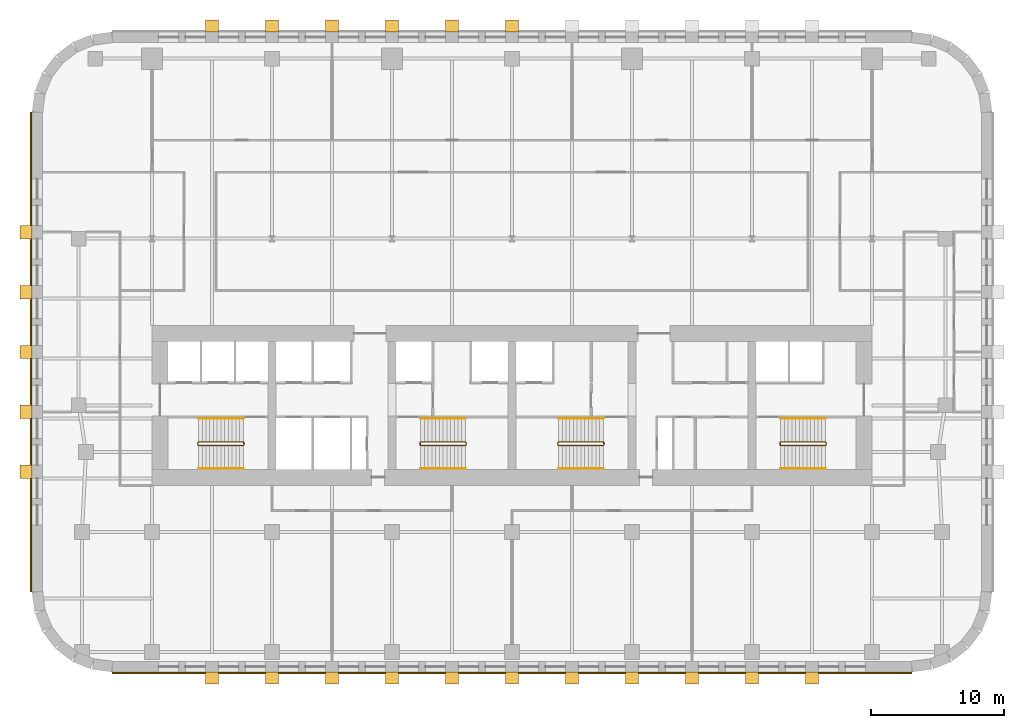
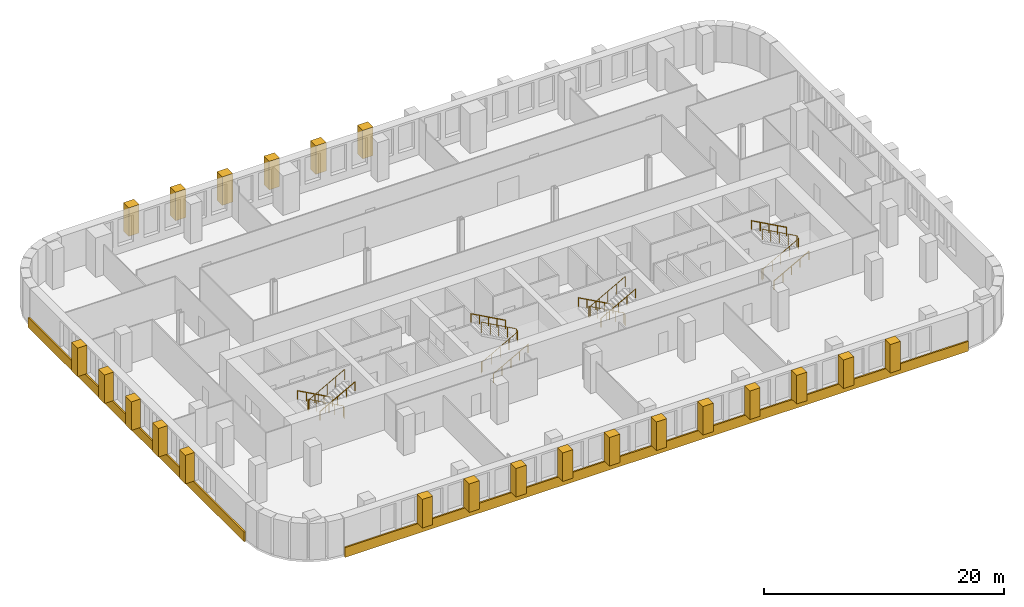
# One storey, part 11 of 12: 24 coverings, 12 railings.
"""IFC4 building model written with IfcOpenShell, lengths in metres."""

from ifc_helpers import new_model, si_unit, direction, frame, origin, origin_2d, place, context, subcontext, project, spatial, polyline, circle, outline, extrude, material, layer, layer_set, type_object, element, save


model = new_model("IFC4")

# Units and contexts
model_context = context("Model", 3, precision=1e-05, world=origin(), true_north=direction((0.0, 1.0)))
body_context = subcontext(model_context, "Body", "Model", "MODEL_VIEW")
ifc_project = project(units=[si_unit("LENGTHUNIT", "METRE"), si_unit("AREAUNIT", "SQUARE_METRE"), si_unit("VOLUMEUNIT", "CUBIC_METRE"), si_unit("PLANEANGLEUNIT", "RADIAN"), si_unit("MASSUNIT", "GRAM", prefix="KILO")], contexts=[model_context])

# Site, building, storey
site_placement = place(None, origin())
site = spatial("IfcSite", under=ifc_project, at=site_placement, CompositionType="ELEMENT")
building_placement = place(site_placement, origin())
building = spatial("IfcBuilding", under=site, at=building_placement, Name="Zellij Exchange Tower", CompositionType="ELEMENT")
storey_placement = place(building_placement, frame((0.0, 0.0, 96.5)))
storey = spatial("IfcBuildingStorey", under=building, at=storey_placement, Name="L20", CompositionType="ELEMENT", Elevation=96.5)

# Railings
ifc_material_1 = material(Name="Stainless steel", Category="steel")
railing_type_1 = type_object("IfcRailingType", Name="CORE-RG stair guard", PredefinedType="GUARDRAIL", material=ifc_material_1)
railing_1_placement = place(storey_placement, frame((-20.10009765625, -10.800048828125, 0.0)))
element("IfcRailing", 1, at=railing_1_placement, inside=storey, type_object=railing_type_1, Name="ST1 stair guard L20", PredefinedType="GUARDRAIL", context=body_context, shape_type="SweptSolid", body=[
    extrude(circle(Radius=0.02392578125, at=origin_2d()), frame((0.0, 0.0, 1.076171875), z_axis=(0.0, -1.0, 0.0), x_axis=(1.0, 0.0, 0.0)), (0.0, 0.0, 1.0), 0.14990234375),
    extrude(circle(Radius=0.02392578125, at=origin_2d()), frame((0.0, -0.14990234375, 1.076171875), z_axis=(-0.193691321961, 0.777613689637, 0.598164376644), x_axis=(-0.970351222016, -0.241699205484, 0.0)), (0.0, 0.0, 1.0), 0.257080078125),
    extrude(circle(Radius=0.02392578125, at=origin_2d()), frame((-0.0498046875, 0.050048828125, 1.22998046875), z_axis=(-0.876421534553, 0.0, 0.481544695509), x_axis=(0.0, -1.0, 0.0)), (0.0, 0.0, 1.0), 3.833984375),
    extrude(circle(Radius=0.02392578125, at=origin_2d()), frame((-3.409912109375, 0.050048828125, 3.076171875), z_axis=(-0.707106781187, -0.707106781187, 0.0), x_axis=(0.707106781187, -0.707106781187, 0.0)), (0.0, 0.0, 1.0), 0.07080078125),
    extrude(circle(Radius=0.02392578125, at=origin_2d()), frame((-3.4599609375, 0.0, 3.076171875), z_axis=(0.0, -1.0, 0.0), x_axis=(1.0, 0.0, 0.0)), (0.0, 0.0, 1.0), 0.14990234375),
    extrude(circle(Radius=0.02392578125, at=origin_2d()), frame((-3.4599609375, -0.14990234375, 3.076171875), z_axis=(0.295599637079, -0.295599637079, 0.908428152975), x_axis=(0.707106781187, 0.707106781187, 0.0)), (0.0, 0.0, 1.0), 0.16943359375),
    extrude(circle(Radius=0.02392578125, at=origin_2d()), frame((-3.409912109375, -0.199951171875, 3.22998046875), z_axis=(0.876421534553, 0.0, 0.481544695509), x_axis=(0.0, 1.0, 0.0)), (0.0, 0.0, 1.0), 3.833984375),
    extrude(circle(Radius=0.02099609375, at=origin_2d()), origin(), (0.0, 0.0, 1.0), 1.052001953125),
    extrude(circle(Radius=0.02099609375, at=origin_2d()), frame((0.0, -0.14990234375, 0.0)), (0.0, 0.0, 1.0), 1.052001953125),
    extrude(circle(Radius=0.02099609375, at=origin_2d()), frame((-0.0498046875, 0.050048828125, 0.15380859375)), (0.0, 0.0, 1.0), 1.052001953125),
    extrude(circle(Radius=0.02099609375, at=origin_2d()), frame((-0.889892578125, 0.050048828125, 0.615234375)), (0.0, 0.0, 1.0), 1.052001953125),
    extrude(circle(Radius=0.02099609375, at=origin_2d()), frame((-1.72998046875, 0.050048828125, 1.076904296875)), (0.0, 0.0, 1.0), 1.052001953125),
    extrude(circle(Radius=0.02099609375, at=origin_2d()), frame((-2.56982421875, 0.050048828125, 1.53857421875)), (0.0, 0.0, 1.0), 1.052001953125),
    extrude(circle(Radius=0.02099609375, at=origin_2d()), frame((-3.409912109375, 0.050048828125, 2.0)), (0.0, 0.0, 1.0), 1.052001953125),
    extrude(circle(Radius=0.02099609375, at=origin_2d()), frame((-3.4599609375, 0.0, 2.0)), (0.0, 0.0, 1.0), 1.052001953125),
    extrude(circle(Radius=0.02099609375, at=origin_2d()), frame((-3.4599609375, -0.14990234375, 2.0)), (0.0, 0.0, 1.0), 1.052001953125),
    extrude(circle(Radius=0.02099609375, at=origin_2d()), frame((-3.409912109375, -0.199951171875, 2.15380859375)), (0.0, 0.0, 1.0), 1.052001953125),
    extrude(circle(Radius=0.02099609375, at=origin_2d()), frame((-2.56982421875, -0.199951171875, 2.615234375)), (0.0, 0.0, 1.0), 1.052001953125),
    extrude(circle(Radius=0.02099609375, at=origin_2d()), frame((-1.72998046875, -0.199951171875, 3.076904296875)), (0.0, 0.0, 1.0), 1.052001953125),
    extrude(circle(Radius=0.02099609375, at=origin_2d()), frame((-0.889892578125, -0.199951171875, 3.53857421875)), (0.0, 0.0, 1.0), 1.052001953125),
    extrude(circle(Radius=0.02099609375, at=origin_2d()), frame((-0.0498046875, -0.199951171875, 4.0)), (0.0, 0.0, 1.0), 1.052001953125),
])
railing_2_placement = place(storey_placement, frame((-6.89990234375, -10.949951171875, 0.0)))
element("IfcRailing", 2, at=railing_2_placement, inside=storey, type_object=railing_type_1, Name="ST2 stair guard L20", PredefinedType="GUARDRAIL", context=body_context, shape_type="SweptSolid", body=[
    extrude(circle(Radius=0.02392578125, at=origin_2d()), frame((0.0, 0.0, 1.076171875), z_axis=(0.0, 1.0, 0.0), x_axis=(-1.0, 0.0, 0.0)), (0.0, 0.0, 1.0), 0.14990234375),
    extrude(circle(Radius=0.02392578125, at=origin_2d()), frame((0.0, 0.14990234375, 1.076171875), z_axis=(0.193691321961, -0.777613689637, 0.598164376644), x_axis=(0.970351222016, 0.241699205484, 0.0)), (0.0, 0.0, 1.0), 0.257080078125),
    extrude(circle(Radius=0.02392578125, at=origin_2d()), frame((0.0498046875, -0.050048828125, 1.22998046875), z_axis=(0.876421534553, 0.0, 0.481544695509), x_axis=(0.0, 1.0, 0.0)), (0.0, 0.0, 1.0), 3.833984375),
    extrude(circle(Radius=0.02392578125, at=origin_2d()), frame((3.409912109375, -0.050048828125, 3.076171875), z_axis=(0.707106781187, 0.707106781187, 0.0), x_axis=(-0.707106781187, 0.707106781187, 0.0)), (0.0, 0.0, 1.0), 0.07080078125),
    extrude(circle(Radius=0.02392578125, at=origin_2d()), frame((3.4599609375, 0.0, 3.076171875), z_axis=(0.0, 1.0, 0.0), x_axis=(-1.0, 0.0, 0.0)), (0.0, 0.0, 1.0), 0.14990234375),
    extrude(circle(Radius=0.02392578125, at=origin_2d()), frame((3.4599609375, 0.14990234375, 3.076171875), z_axis=(-0.295599637079, 0.295599637079, 0.908428152975), x_axis=(-0.707106781187, -0.707106781187, 0.0)), (0.0, 0.0, 1.0), 0.16943359375),
    extrude(circle(Radius=0.02392578125, at=origin_2d()), frame((3.409912109375, 0.199951171875, 3.22998046875), z_axis=(-0.876421534553, 0.0, 0.481544695509), x_axis=(0.0, -1.0, 0.0)), (0.0, 0.0, 1.0), 3.833984375),
    extrude(circle(Radius=0.02099609375, at=origin_2d()), origin(), (0.0, 0.0, 1.0), 1.052001953125),
    extrude(circle(Radius=0.02099609375, at=origin_2d()), frame((0.0, 0.14990234375, 0.0)), (0.0, 0.0, 1.0), 1.052001953125),
    extrude(circle(Radius=0.02099609375, at=origin_2d()), frame((0.0498046875, -0.050048828125, 0.15380859375)), (0.0, 0.0, 1.0), 1.052001953125),
    extrude(circle(Radius=0.02099609375, at=origin_2d()), frame((0.889892578125, -0.050048828125, 0.615234375)), (0.0, 0.0, 1.0), 1.052001953125),
    extrude(circle(Radius=0.02099609375, at=origin_2d()), frame((1.72998046875, -0.050048828125, 1.076904296875)), (0.0, 0.0, 1.0), 1.052001953125),
    extrude(circle(Radius=0.02099609375, at=origin_2d()), frame((2.56982421875, -0.050048828125, 1.53857421875)), (0.0, 0.0, 1.0), 1.052001953125),
    extrude(circle(Radius=0.02099609375, at=origin_2d()), frame((3.409912109375, -0.050048828125, 2.0)), (0.0, 0.0, 1.0), 1.052001953125),
    extrude(circle(Radius=0.02099609375, at=origin_2d()), frame((3.4599609375, 0.0, 2.0)), (0.0, 0.0, 1.0), 1.052001953125),
    extrude(circle(Radius=0.02099609375, at=origin_2d()), frame((3.4599609375, 0.14990234375, 2.0)), (0.0, 0.0, 1.0), 1.052001953125),
    extrude(circle(Radius=0.02099609375, at=origin_2d()), frame((3.409912109375, 0.199951171875, 2.15380859375)), (0.0, 0.0, 1.0), 1.052001953125),
    extrude(circle(Radius=0.02099609375, at=origin_2d()), frame((2.56982421875, 0.199951171875, 2.615234375)), (0.0, 0.0, 1.0), 1.052001953125),
    extrude(circle(Radius=0.02099609375, at=origin_2d()), frame((1.72998046875, 0.199951171875, 3.076904296875)), (0.0, 0.0, 1.0), 1.052001953125),
    extrude(circle(Radius=0.02099609375, at=origin_2d()), frame((0.889892578125, 0.199951171875, 3.53857421875)), (0.0, 0.0, 1.0), 1.052001953125),
    extrude(circle(Radius=0.02099609375, at=origin_2d()), frame((0.0498046875, 0.199951171875, 4.0)), (0.0, 0.0, 1.0), 1.052001953125),
])
railing_3_placement = place(storey_placement, frame((6.89990234375, -10.800048828125, 0.0)))
element("IfcRailing", 3, at=railing_3_placement, inside=storey, type_object=railing_type_1, Name="ST3 stair guard L20", PredefinedType="GUARDRAIL", context=body_context, shape_type="SweptSolid", body=[
    extrude(circle(Radius=0.02392578125, at=origin_2d()), frame((0.0, 0.0, 1.076171875), z_axis=(0.0, -1.0, 0.0), x_axis=(1.0, 0.0, 0.0)), (0.0, 0.0, 1.0), 0.14990234375),
    extrude(circle(Radius=0.02392578125, at=origin_2d()), frame((0.0, -0.14990234375, 1.076171875), z_axis=(-0.193691321961, 0.777613689637, 0.598164376644), x_axis=(-0.970351222016, -0.241699205484, 0.0)), (0.0, 0.0, 1.0), 0.257080078125),
    extrude(circle(Radius=0.02392578125, at=origin_2d()), frame((-0.0498046875, 0.050048828125, 1.22998046875), z_axis=(-0.876421534553, 0.0, 0.481544695509), x_axis=(0.0, -1.0, 0.0)), (0.0, 0.0, 1.0), 3.833984375),
    extrude(circle(Radius=0.02392578125, at=origin_2d()), frame((-3.409912109375, 0.050048828125, 3.076171875), z_axis=(-0.707106781187, -0.707106781187, 0.0), x_axis=(0.707106781187, -0.707106781187, 0.0)), (0.0, 0.0, 1.0), 0.07080078125),
    extrude(circle(Radius=0.02392578125, at=origin_2d()), frame((-3.4599609375, 0.0, 3.076171875), z_axis=(0.0, -1.0, 0.0), x_axis=(1.0, 0.0, 0.0)), (0.0, 0.0, 1.0), 0.14990234375),
    extrude(circle(Radius=0.02392578125, at=origin_2d()), frame((-3.4599609375, -0.14990234375, 3.076171875), z_axis=(0.295599637079, -0.295599637079, 0.908428152975), x_axis=(0.707106781187, 0.707106781187, 0.0)), (0.0, 0.0, 1.0), 0.16943359375),
    extrude(circle(Radius=0.02392578125, at=origin_2d()), frame((-3.409912109375, -0.199951171875, 3.22998046875), z_axis=(0.876421534553, 0.0, 0.481544695509), x_axis=(0.0, 1.0, 0.0)), (0.0, 0.0, 1.0), 3.833984375),
    extrude(circle(Radius=0.02099609375, at=origin_2d()), origin(), (0.0, 0.0, 1.0), 1.052001953125),
    extrude(circle(Radius=0.02099609375, at=origin_2d()), frame((0.0, -0.14990234375, 0.0)), (0.0, 0.0, 1.0), 1.052001953125),
    extrude(circle(Radius=0.02099609375, at=origin_2d()), frame((-0.0498046875, 0.050048828125, 0.15380859375)), (0.0, 0.0, 1.0), 1.052001953125),
    extrude(circle(Radius=0.02099609375, at=origin_2d()), frame((-0.889892578125, 0.050048828125, 0.615234375)), (0.0, 0.0, 1.0), 1.052001953125),
    extrude(circle(Radius=0.02099609375, at=origin_2d()), frame((-1.72998046875, 0.050048828125, 1.076904296875)), (0.0, 0.0, 1.0), 1.052001953125),
    extrude(circle(Radius=0.02099609375, at=origin_2d()), frame((-2.56982421875, 0.050048828125, 1.53857421875)), (0.0, 0.0, 1.0), 1.052001953125),
    extrude(circle(Radius=0.02099609375, at=origin_2d()), frame((-3.409912109375, 0.050048828125, 2.0)), (0.0, 0.0, 1.0), 1.052001953125),
    extrude(circle(Radius=0.02099609375, at=origin_2d()), frame((-3.4599609375, 0.0, 2.0)), (0.0, 0.0, 1.0), 1.052001953125),
    extrude(circle(Radius=0.02099609375, at=origin_2d()), frame((-3.4599609375, -0.14990234375, 2.0)), (0.0, 0.0, 1.0), 1.052001953125),
    extrude(circle(Radius=0.02099609375, at=origin_2d()), frame((-3.409912109375, -0.199951171875, 2.15380859375)), (0.0, 0.0, 1.0), 1.052001953125),
    extrude(circle(Radius=0.02099609375, at=origin_2d()), frame((-2.56982421875, -0.199951171875, 2.615234375)), (0.0, 0.0, 1.0), 1.052001953125),
    extrude(circle(Radius=0.02099609375, at=origin_2d()), frame((-1.72998046875, -0.199951171875, 3.076904296875)), (0.0, 0.0, 1.0), 1.052001953125),
    extrude(circle(Radius=0.02099609375, at=origin_2d()), frame((-0.889892578125, -0.199951171875, 3.53857421875)), (0.0, 0.0, 1.0), 1.052001953125),
    extrude(circle(Radius=0.02099609375, at=origin_2d()), frame((-0.0498046875, -0.199951171875, 4.0)), (0.0, 0.0, 1.0), 1.052001953125),
])
railing_4_placement = place(storey_placement, frame((20.10009765625, -10.949951171875, 0.0)))
element("IfcRailing", 4, at=railing_4_placement, inside=storey, type_object=railing_type_1, Name="ST4 stair guard L20", PredefinedType="GUARDRAIL", context=body_context, shape_type="SweptSolid", body=[
    extrude(circle(Radius=0.02392578125, at=origin_2d()), frame((0.0, 0.0, 1.076171875), z_axis=(0.0, 1.0, 0.0), x_axis=(-1.0, 0.0, 0.0)), (0.0, 0.0, 1.0), 0.14990234375),
    extrude(circle(Radius=0.02392578125, at=origin_2d()), frame((0.0, 0.14990234375, 1.076171875), z_axis=(0.193691321961, -0.777613689637, 0.598164376644), x_axis=(0.970351222016, 0.241699205484, 0.0)), (0.0, 0.0, 1.0), 0.257080078125),
    extrude(circle(Radius=0.02392578125, at=origin_2d()), frame((0.0498046875, -0.050048828125, 1.22998046875), z_axis=(0.876421534553, 0.0, 0.481544695509), x_axis=(0.0, 1.0, 0.0)), (0.0, 0.0, 1.0), 3.833984375),
    extrude(circle(Radius=0.02392578125, at=origin_2d()), frame((3.409912109375, -0.050048828125, 3.076171875), z_axis=(0.707106781187, 0.707106781187, 0.0), x_axis=(-0.707106781187, 0.707106781187, 0.0)), (0.0, 0.0, 1.0), 0.07080078125),
    extrude(circle(Radius=0.02392578125, at=origin_2d()), frame((3.4599609375, 0.0, 3.076171875), z_axis=(0.0, 1.0, 0.0), x_axis=(-1.0, 0.0, 0.0)), (0.0, 0.0, 1.0), 0.14990234375),
    extrude(circle(Radius=0.02392578125, at=origin_2d()), frame((3.4599609375, 0.14990234375, 3.076171875), z_axis=(-0.295599637079, 0.295599637079, 0.908428152975), x_axis=(-0.707106781187, -0.707106781187, 0.0)), (0.0, 0.0, 1.0), 0.16943359375),
    extrude(circle(Radius=0.02392578125, at=origin_2d()), frame((3.409912109375, 0.199951171875, 3.22998046875), z_axis=(-0.876421534553, 0.0, 0.481544695509), x_axis=(0.0, -1.0, 0.0)), (0.0, 0.0, 1.0), 3.833984375),
    extrude(circle(Radius=0.02099609375, at=origin_2d()), origin(), (0.0, 0.0, 1.0), 1.052001953125),
    extrude(circle(Radius=0.02099609375, at=origin_2d()), frame((0.0, 0.14990234375, 0.0)), (0.0, 0.0, 1.0), 1.052001953125),
    extrude(circle(Radius=0.02099609375, at=origin_2d()), frame((0.0498046875, -0.050048828125, 0.15380859375)), (0.0, 0.0, 1.0), 1.052001953125),
    extrude(circle(Radius=0.02099609375, at=origin_2d()), frame((0.889892578125, -0.050048828125, 0.615234375)), (0.0, 0.0, 1.0), 1.052001953125),
    extrude(circle(Radius=0.02099609375, at=origin_2d()), frame((1.72998046875, -0.050048828125, 1.076904296875)), (0.0, 0.0, 1.0), 1.052001953125),
    extrude(circle(Radius=0.02099609375, at=origin_2d()), frame((2.56982421875, -0.050048828125, 1.53857421875)), (0.0, 0.0, 1.0), 1.052001953125),
    extrude(circle(Radius=0.02099609375, at=origin_2d()), frame((3.409912109375, -0.050048828125, 2.0)), (0.0, 0.0, 1.0), 1.052001953125),
    extrude(circle(Radius=0.02099609375, at=origin_2d()), frame((3.4599609375, 0.0, 2.0)), (0.0, 0.0, 1.0), 1.052001953125),
    extrude(circle(Radius=0.02099609375, at=origin_2d()), frame((3.4599609375, 0.14990234375, 2.0)), (0.0, 0.0, 1.0), 1.052001953125),
    extrude(circle(Radius=0.02099609375, at=origin_2d()), frame((3.409912109375, 0.199951171875, 2.15380859375)), (0.0, 0.0, 1.0), 1.052001953125),
    extrude(circle(Radius=0.02099609375, at=origin_2d()), frame((2.56982421875, 0.199951171875, 2.615234375)), (0.0, 0.0, 1.0), 1.052001953125),
    extrude(circle(Radius=0.02099609375, at=origin_2d()), frame((1.72998046875, 0.199951171875, 3.076904296875)), (0.0, 0.0, 1.0), 1.052001953125),
    extrude(circle(Radius=0.02099609375, at=origin_2d()), frame((0.889892578125, 0.199951171875, 3.53857421875)), (0.0, 0.0, 1.0), 1.052001953125),
    extrude(circle(Radius=0.02099609375, at=origin_2d()), frame((0.0498046875, 0.199951171875, 4.0)), (0.0, 0.0, 1.0), 1.052001953125),
])
railing_type_2 = type_object("IfcRailingType", Name="CORE-RH stair handrail", PredefinedType="HANDRAIL", material=ifc_material_1)
railing_5_placement = place(storey_placement, frame((-20.14990234375, -9.0, 0.15380859375)))
element("IfcRailing", 5, at=railing_5_placement, inside=storey, type_object=railing_type_2, Name="ST1 stair handrail L20", PredefinedType="HANDRAIL", context=body_context, shape_type="SweptSolid", body=[
    extrude(circle(Radius=0.02392578125, at=origin_2d()), frame((0.0, 0.0, 0.8759765625), z_axis=(-0.876421534553, 0.0, 0.481544695509), x_axis=(0.0, -1.0, 0.0)), (0.0, 0.0, 1.0), 3.833984375),
    extrude(circle(Radius=0.02099609375, at=origin_2d()), origin(), (0.0, 0.0, 1.0), 0.851806640625),
    extrude(circle(Radius=0.02099609375, at=origin_2d()), frame((-0.840087890625, 0.0, 0.46142578125)), (0.0, 0.0, 1.0), 0.851806640625),
    extrude(circle(Radius=0.02099609375, at=origin_2d()), frame((-1.68017578125, 0.0, 0.923095703125)), (0.0, 0.0, 1.0), 0.851806640625),
    extrude(circle(Radius=0.02099609375, at=origin_2d()), frame((-2.52001953125, 0.0, 1.384765625)), (0.0, 0.0, 1.0), 0.851806640625),
    extrude(circle(Radius=0.02099609375, at=origin_2d()), frame((-3.360107421875, 0.0, 1.84619140625)), (0.0, 0.0, 1.0), 0.851806640625),
])
for number, where, name in (
    (6, (-23.510009765625, -12.75, 2.15380859375), "ST1 stair handrail L20"),
    (7, (-6.85009765625, -12.75, 0.15380859375), "ST2 stair handrail L20"),
):
    element("IfcRailing", number, at=place(storey_placement, frame(where)), inside=storey, type_object=railing_type_2, Name=name, PredefinedType="HANDRAIL", context=body_context, shape_type="SweptSolid", body=[
        extrude(circle(Radius=0.02392578125, at=origin_2d()), frame((0.0, 0.0, 0.8759765625), z_axis=(0.876421534553, 0.0, 0.481544695509), x_axis=(0.0, 1.0, 0.0)), (0.0, 0.0, 1.0), 3.833984375),
        extrude(circle(Radius=0.02099609375, at=origin_2d()), origin(), (0.0, 0.0, 1.0), 0.851806640625),
        extrude(circle(Radius=0.02099609375, at=origin_2d()), frame((0.840087890625, 0.0, 0.46142578125)), (0.0, 0.0, 1.0), 0.851806640625),
        extrude(circle(Radius=0.02099609375, at=origin_2d()), frame((1.68017578125, 0.0, 0.923095703125)), (0.0, 0.0, 1.0), 0.851806640625),
        extrude(circle(Radius=0.02099609375, at=origin_2d()), frame((2.52001953125, 0.0, 1.384765625)), (0.0, 0.0, 1.0), 0.851806640625),
        extrude(circle(Radius=0.02099609375, at=origin_2d()), frame((3.360107421875, 0.0, 1.84619140625)), (0.0, 0.0, 1.0), 0.851806640625),
    ])
for number, where, name in (
    (8, (-3.489990234375, -9.0, 2.15380859375), "ST2 stair handrail L20"),
    (9, (6.85009765625, -9.0, 0.15380859375), "ST3 stair handrail L20"),
):
    element("IfcRailing", number, at=place(storey_placement, frame(where)), inside=storey, type_object=railing_type_2, Name=name, PredefinedType="HANDRAIL", context=body_context, shape_type="SweptSolid", body=[
        extrude(circle(Radius=0.02392578125, at=origin_2d()), frame((0.0, 0.0, 0.8759765625), z_axis=(-0.876421534553, 0.0, 0.481544695509), x_axis=(0.0, -1.0, 0.0)), (0.0, 0.0, 1.0), 3.833984375),
        extrude(circle(Radius=0.02099609375, at=origin_2d()), origin(), (0.0, 0.0, 1.0), 0.851806640625),
        extrude(circle(Radius=0.02099609375, at=origin_2d()), frame((-0.840087890625, 0.0, 0.46142578125)), (0.0, 0.0, 1.0), 0.851806640625),
        extrude(circle(Radius=0.02099609375, at=origin_2d()), frame((-1.68017578125, 0.0, 0.923095703125)), (0.0, 0.0, 1.0), 0.851806640625),
        extrude(circle(Radius=0.02099609375, at=origin_2d()), frame((-2.52001953125, 0.0, 1.384765625)), (0.0, 0.0, 1.0), 0.851806640625),
        extrude(circle(Radius=0.02099609375, at=origin_2d()), frame((-3.360107421875, 0.0, 1.84619140625)), (0.0, 0.0, 1.0), 0.851806640625),
    ])
for number, where, name in (
    (10, (3.489990234375, -12.75, 2.15380859375), "ST3 stair handrail L20"),
    (11, (20.14990234375, -12.75, 0.15380859375), "ST4 stair handrail L20"),
):
    element("IfcRailing", number, at=place(storey_placement, frame(where)), inside=storey, type_object=railing_type_2, Name=name, PredefinedType="HANDRAIL", context=body_context, shape_type="SweptSolid", body=[
        extrude(circle(Radius=0.02392578125, at=origin_2d()), frame((0.0, 0.0, 0.8759765625), z_axis=(0.876421534553, 0.0, 0.481544695509), x_axis=(0.0, 1.0, 0.0)), (0.0, 0.0, 1.0), 3.833984375),
        extrude(circle(Radius=0.02099609375, at=origin_2d()), origin(), (0.0, 0.0, 1.0), 0.851806640625),
        extrude(circle(Radius=0.02099609375, at=origin_2d()), frame((0.840087890625, 0.0, 0.46142578125)), (0.0, 0.0, 1.0), 0.851806640625),
        extrude(circle(Radius=0.02099609375, at=origin_2d()), frame((1.68017578125, 0.0, 0.923095703125)), (0.0, 0.0, 1.0), 0.851806640625),
        extrude(circle(Radius=0.02099609375, at=origin_2d()), frame((2.52001953125, 0.0, 1.384765625)), (0.0, 0.0, 1.0), 0.851806640625),
        extrude(circle(Radius=0.02099609375, at=origin_2d()), frame((3.360107421875, 0.0, 1.84619140625)), (0.0, 0.0, 1.0), 0.851806640625),
    ])
railing_6_placement = place(storey_placement, frame((23.510009765625, -9.0, 2.15380859375)))
element("IfcRailing", 12, at=railing_6_placement, inside=storey, type_object=railing_type_2, Name="ST4 stair handrail L20", PredefinedType="HANDRAIL", context=body_context, shape_type="SweptSolid", body=[
    extrude(circle(Radius=0.02392578125, at=origin_2d()), frame((0.0, 0.0, 0.8759765625), z_axis=(-0.876421534553, 0.0, 0.481544695509), x_axis=(0.0, -1.0, 0.0)), (0.0, 0.0, 1.0), 3.833984375),
    extrude(circle(Radius=0.02099609375, at=origin_2d()), origin(), (0.0, 0.0, 1.0), 0.851806640625),
    extrude(circle(Radius=0.02099609375, at=origin_2d()), frame((-0.840087890625, 0.0, 0.46142578125)), (0.0, 0.0, 1.0), 0.851806640625),
    extrude(circle(Radius=0.02099609375, at=origin_2d()), frame((-1.68017578125, 0.0, 0.923095703125)), (0.0, 0.0, 1.0), 0.851806640625),
    extrude(circle(Radius=0.02099609375, at=origin_2d()), frame((-2.52001953125, 0.0, 1.384765625)), (0.0, 0.0, 1.0), 0.851806640625),
    extrude(circle(Radius=0.02099609375, at=origin_2d()), frame((-3.360107421875, 0.0, 1.84619140625)), (0.0, 0.0, 1.0), 0.851806640625),
])

# Coverings
ifc_material_2 = material(Name="Limestone cladding", Category="masonry")
ifc_layer = layer(ifc_material_2, 0.14990234375)
ifc_layer_set = layer_set([ifc_layer], Name="Limestone cladding")
covering_type_1 = type_object("IfcCoveringType", Name="ENV-CV1 Stone spandrel band 150", PredefinedType="CLADDING", material=ifc_layer_set)
covering_1_placement = place(storey_placement, frame((0.0, 0.0, -0.199951171875)))
element("IfcCovering", 13, at=covering_1_placement, inside=storey, type_object=covering_type_1, Name="Stone spandrel band", PredefinedType="CLADDING", context=body_context, shape_type="SweptSolid", body=[
    extrude(outline(polyline([(-29.973876953125, -28.0), (29.973876953125, -28.0), (29.983642578125, -28.14990234375), (-29.983642578125, -28.14990234375), (-29.973876953125, -28.0)])), origin(), (0.0, 0.0, 1.0), 1.0),
])
covering_2_placement = place(storey_placement, frame((0.0, 0.0, -0.199951171875)))
element("IfcCovering", 14, at=covering_2_placement, inside=storey, type_object=covering_type_1, Name="Stone spandrel band", PredefinedType="CLADDING", context=body_context, shape_type="SweptSolid", body=[
    extrude(outline(polyline([(-36.0, 13.973876953125), (-36.0, -21.973876953125), (-36.14990234375, -21.983642578125), (-36.14990234375, 13.983642578125), (-36.0, 13.973876953125)])), origin(), (0.0, 0.0, 1.0), 1.0),
])
covering_type_2 = type_object("IfcCoveringType", Name="ENV-CV2 Stone pier 1000x900", PredefinedType="CLADDING", material=ifc_material_2)
covering_3_placement = place(storey_placement, frame((0.0, 0.0, 0.800048828125)))
element("IfcCovering", 15, at=covering_3_placement, inside=storey, type_object=covering_type_2, Name="Stone pier", PredefinedType="CLADDING", context=body_context, shape_type="SweptSolid", body=[
    extrude(outline(polyline([(-23.0, -28.0), (-22.0, -28.0), (-22.0, -28.89990234375), (-23.0, -28.89990234375), (-23.0, -28.0)])), origin(), (0.0, 0.0, 1.0), 2.89990234375),
])
covering_4_placement = place(storey_placement, frame((0.0, 0.0, 0.800048828125)))
element("IfcCovering", 16, at=covering_4_placement, inside=storey, type_object=covering_type_2, Name="Stone pier", PredefinedType="CLADDING", context=body_context, shape_type="SweptSolid", body=[
    extrude(outline(polyline([(-18.5, -28.0), (-17.5, -28.0), (-17.5, -28.89990234375), (-18.5, -28.89990234375), (-18.5, -28.0)])), origin(), (0.0, 0.0, 1.0), 2.89990234375),
])
covering_5_placement = place(storey_placement, frame((0.0, 0.0, 0.800048828125)))
element("IfcCovering", 17, at=covering_5_placement, inside=storey, type_object=covering_type_2, Name="Stone pier", PredefinedType="CLADDING", context=body_context, shape_type="SweptSolid", body=[
    extrude(outline(polyline([(-14.0, -28.0), (-13.0, -28.0), (-13.0, -28.89990234375), (-14.0, -28.89990234375), (-14.0, -28.0)])), origin(), (0.0, 0.0, 1.0), 2.89990234375),
])
covering_6_placement = place(storey_placement, frame((0.0, 0.0, 0.800048828125)))
element("IfcCovering", 18, at=covering_6_placement, inside=storey, type_object=covering_type_2, Name="Stone pier", PredefinedType="CLADDING", context=body_context, shape_type="SweptSolid", body=[
    extrude(outline(polyline([(-9.5, -28.0), (-8.5, -28.0), (-8.5, -28.89990234375), (-9.5, -28.89990234375), (-9.5, -28.0)])), origin(), (0.0, 0.0, 1.0), 2.89990234375),
])
covering_7_placement = place(storey_placement, frame((0.0, 0.0, 0.800048828125)))
element("IfcCovering", 19, at=covering_7_placement, inside=storey, type_object=covering_type_2, Name="Stone pier", PredefinedType="CLADDING", context=body_context, shape_type="SweptSolid", body=[
    extrude(outline(polyline([(-5.0, -28.0), (-4.0, -28.0), (-4.0, -28.89990234375), (-5.0, -28.89990234375), (-5.0, -28.0)])), origin(), (0.0, 0.0, 1.0), 2.89990234375),
])
covering_8_placement = place(storey_placement, frame((0.0, 0.0, 0.800048828125)))
element("IfcCovering", 20, at=covering_8_placement, inside=storey, type_object=covering_type_2, Name="Stone pier", PredefinedType="CLADDING", context=body_context, shape_type="SweptSolid", body=[
    extrude(outline(polyline([(-0.5, -28.0), (0.5, -28.0), (0.5, -28.89990234375), (-0.5, -28.89990234375), (-0.5, -28.0)])), origin(), (0.0, 0.0, 1.0), 2.89990234375),
])
covering_9_placement = place(storey_placement, frame((0.0, 0.0, 0.800048828125)))
element("IfcCovering", 21, at=covering_9_placement, inside=storey, type_object=covering_type_2, Name="Stone pier", PredefinedType="CLADDING", context=body_context, shape_type="SweptSolid", body=[
    extrude(outline(polyline([(4.0, -28.0), (5.0, -28.0), (5.0, -28.89990234375), (4.0, -28.89990234375), (4.0, -28.0)])), origin(), (0.0, 0.0, 1.0), 2.89990234375),
])
covering_10_placement = place(storey_placement, frame((0.0, 0.0, 0.800048828125)))
element("IfcCovering", 22, at=covering_10_placement, inside=storey, type_object=covering_type_2, Name="Stone pier", PredefinedType="CLADDING", context=body_context, shape_type="SweptSolid", body=[
    extrude(outline(polyline([(8.5, -28.0), (9.5, -28.0), (9.5, -28.89990234375), (8.5, -28.89990234375), (8.5, -28.0)])), origin(), (0.0, 0.0, 1.0), 2.89990234375),
])
covering_11_placement = place(storey_placement, frame((0.0, 0.0, 0.800048828125)))
element("IfcCovering", 23, at=covering_11_placement, inside=storey, type_object=covering_type_2, Name="Stone pier", PredefinedType="CLADDING", context=body_context, shape_type="SweptSolid", body=[
    extrude(outline(polyline([(13.0, -28.0), (14.0, -28.0), (14.0, -28.89990234375), (13.0, -28.89990234375), (13.0, -28.0)])), origin(), (0.0, 0.0, 1.0), 2.89990234375),
])
covering_12_placement = place(storey_placement, frame((0.0, 0.0, 0.800048828125)))
element("IfcCovering", 24, at=covering_12_placement, inside=storey, type_object=covering_type_2, Name="Stone pier", PredefinedType="CLADDING", context=body_context, shape_type="SweptSolid", body=[
    extrude(outline(polyline([(17.5, -28.0), (18.5, -28.0), (18.5, -28.89990234375), (17.5, -28.89990234375), (17.5, -28.0)])), origin(), (0.0, 0.0, 1.0), 2.89990234375),
])
covering_13_placement = place(storey_placement, frame((0.0, 0.0, 0.800048828125)))
element("IfcCovering", 25, at=covering_13_placement, inside=storey, type_object=covering_type_2, Name="Stone pier", PredefinedType="CLADDING", context=body_context, shape_type="SweptSolid", body=[
    extrude(outline(polyline([(22.0, -28.0), (23.0, -28.0), (23.0, -28.89990234375), (22.0, -28.89990234375), (22.0, -28.0)])), origin(), (0.0, 0.0, 1.0), 2.89990234375),
])
covering_14_placement = place(storey_placement, frame((0.0, 0.0, 0.800048828125)))
element("IfcCovering", 26, at=covering_14_placement, inside=storey, type_object=covering_type_2, Name="Stone pier", PredefinedType="CLADDING", context=body_context, shape_type="SweptSolid", body=[
    extrude(outline(polyline([(0.5, 20.0), (-0.5, 20.0), (-0.5, 20.89990234375), (0.5, 20.89990234375), (0.5, 20.0)])), origin(), (0.0, 0.0, 1.0), 2.89990234375),
])
covering_15_placement = place(storey_placement, frame((0.0, 0.0, 0.800048828125)))
element("IfcCovering", 27, at=covering_15_placement, inside=storey, type_object=covering_type_2, Name="Stone pier", PredefinedType="CLADDING", context=body_context, shape_type="SweptSolid", body=[
    extrude(outline(polyline([(-4.0, 20.0), (-5.0, 20.0), (-5.0, 20.89990234375), (-4.0, 20.89990234375), (-4.0, 20.0)])), origin(), (0.0, 0.0, 1.0), 2.89990234375),
])
covering_16_placement = place(storey_placement, frame((0.0, 0.0, 0.800048828125)))
element("IfcCovering", 28, at=covering_16_placement, inside=storey, type_object=covering_type_2, Name="Stone pier", PredefinedType="CLADDING", context=body_context, shape_type="SweptSolid", body=[
    extrude(outline(polyline([(-8.5, 20.0), (-9.5, 20.0), (-9.5, 20.89990234375), (-8.5, 20.89990234375), (-8.5, 20.0)])), origin(), (0.0, 0.0, 1.0), 2.89990234375),
])
covering_17_placement = place(storey_placement, frame((0.0, 0.0, 0.800048828125)))
element("IfcCovering", 29, at=covering_17_placement, inside=storey, type_object=covering_type_2, Name="Stone pier", PredefinedType="CLADDING", context=body_context, shape_type="SweptSolid", body=[
    extrude(outline(polyline([(-13.0, 20.0), (-14.0, 20.0), (-14.0, 20.89990234375), (-13.0, 20.89990234375), (-13.0, 20.0)])), origin(), (0.0, 0.0, 1.0), 2.89990234375),
])
covering_18_placement = place(storey_placement, frame((0.0, 0.0, 0.800048828125)))
element("IfcCovering", 30, at=covering_18_placement, inside=storey, type_object=covering_type_2, Name="Stone pier", PredefinedType="CLADDING", context=body_context, shape_type="SweptSolid", body=[
    extrude(outline(polyline([(-17.5, 20.0), (-18.5, 20.0), (-18.5, 20.89990234375), (-17.5, 20.89990234375), (-17.5, 20.0)])), origin(), (0.0, 0.0, 1.0), 2.89990234375),
])
covering_19_placement = place(storey_placement, frame((0.0, 0.0, 0.800048828125)))
element("IfcCovering", 31, at=covering_19_placement, inside=storey, type_object=covering_type_2, Name="Stone pier", PredefinedType="CLADDING", context=body_context, shape_type="SweptSolid", body=[
    extrude(outline(polyline([(-22.0, 20.0), (-23.0, 20.0), (-23.0, 20.89990234375), (-22.0, 20.89990234375), (-22.0, 20.0)])), origin(), (0.0, 0.0, 1.0), 2.89990234375),
])
covering_20_placement = place(storey_placement, frame((0.0, 0.0, 0.800048828125)))
element("IfcCovering", 32, at=covering_20_placement, inside=storey, type_object=covering_type_2, Name="Stone pier", PredefinedType="CLADDING", context=body_context, shape_type="SweptSolid", body=[
    extrude(outline(polyline([(-36.0, 5.48681640625), (-36.0, 4.48681640625), (-36.89990234375, 4.48681640625), (-36.89990234375, 5.48681640625), (-36.0, 5.48681640625)])), origin(), (0.0, 0.0, 1.0), 2.89990234375),
])
covering_21_placement = place(storey_placement, frame((0.0, 0.0, 0.800048828125)))
element("IfcCovering", 33, at=covering_21_placement, inside=storey, type_object=covering_type_2, Name="Stone pier", PredefinedType="CLADDING", context=body_context, shape_type="SweptSolid", body=[
    extrude(outline(polyline([(-36.0, 0.993408203125), (-36.0, -0.006591796875), (-36.89990234375, -0.006591796875), (-36.89990234375, 0.993408203125), (-36.0, 0.993408203125)])), origin(), (0.0, 0.0, 1.0), 2.89990234375),
])
covering_22_placement = place(storey_placement, frame((0.0, 0.0, 0.800048828125)))
element("IfcCovering", 34, at=covering_22_placement, inside=storey, type_object=covering_type_2, Name="Stone pier", PredefinedType="CLADDING", context=body_context, shape_type="SweptSolid", body=[
    extrude(outline(polyline([(-36.0, -3.5), (-36.0, -4.5), (-36.89990234375, -4.5), (-36.89990234375, -3.5), (-36.0, -3.5)])), origin(), (0.0, 0.0, 1.0), 2.89990234375),
])
covering_23_placement = place(storey_placement, frame((0.0, 0.0, 0.800048828125)))
element("IfcCovering", 35, at=covering_23_placement, inside=storey, type_object=covering_type_2, Name="Stone pier", PredefinedType="CLADDING", context=body_context, shape_type="SweptSolid", body=[
    extrude(outline(polyline([(-36.0, -7.993408203125), (-36.0, -8.993408203125), (-36.89990234375, -8.993408203125), (-36.89990234375, -7.993408203125), (-36.0, -7.993408203125)])), origin(), (0.0, 0.0, 1.0), 2.89990234375),
])
covering_24_placement = place(storey_placement, frame((0.0, 0.0, 0.800048828125)))
element("IfcCovering", 36, at=covering_24_placement, inside=storey, type_object=covering_type_2, Name="Stone pier", PredefinedType="CLADDING", context=body_context, shape_type="SweptSolid", body=[
    extrude(outline(polyline([(-36.0, -12.48681640625), (-36.0, -13.48681640625), (-36.89990234375, -13.48681640625), (-36.89990234375, -12.48681640625), (-36.0, -12.48681640625)])), origin(), (0.0, 0.0, 1.0), 2.89990234375),
])

save(model, "model.ifc")
